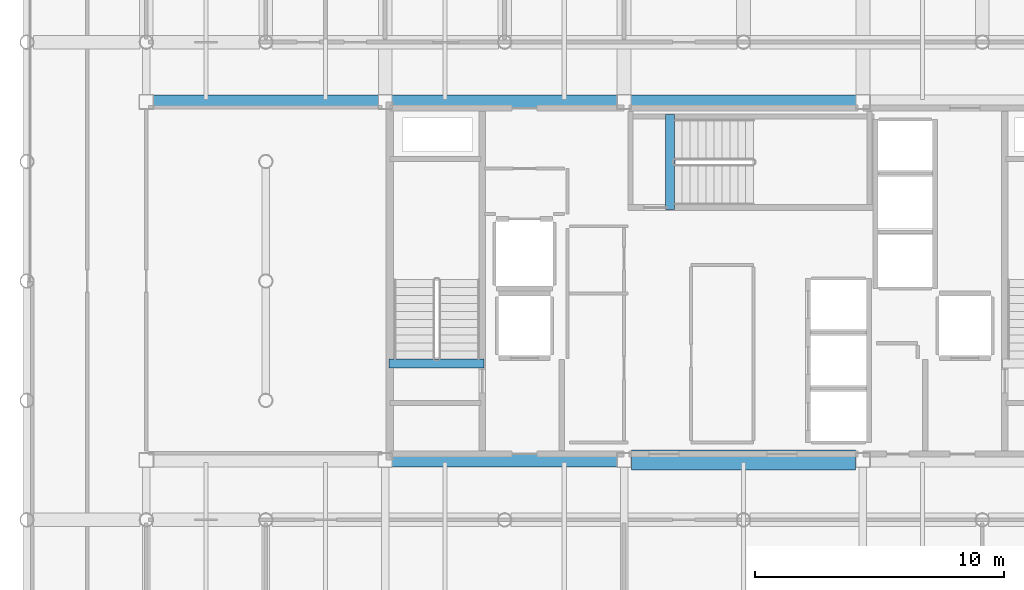
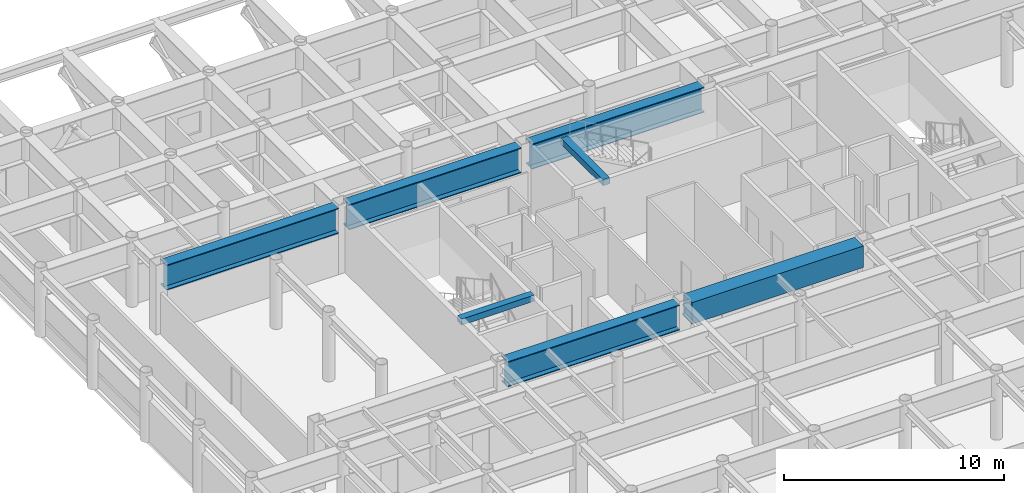
# One storey, part 8 of 24: 7 beams.
"""IFC4 building model written with IfcOpenShell, lengths in metres."""

from ifc_helpers import new_model, si_unit, direction, frame, origin, origin_2d, place, context, subcontext, project, spatial, rectangle, i_section, extrude, material, material_profile, profile_set, type_object, element, save


model = new_model("IFC4")

# Units and contexts
model_context = context("Model", 3, precision=1e-05, world=origin(), true_north=direction((0.0, 1.0)))
body_context = subcontext(model_context, "Body", "Model", "MODEL_VIEW")
ifc_project = project(units=[si_unit("LENGTHUNIT", "METRE"), si_unit("AREAUNIT", "SQUARE_METRE"), si_unit("VOLUMEUNIT", "CUBIC_METRE"), si_unit("PLANEANGLEUNIT", "RADIAN"), si_unit("MASSUNIT", "GRAM", prefix="KILO")], contexts=[model_context])

# Site, building, storey
site_placement = place(None, origin())
site = spatial("IfcSite", under=ifc_project, at=site_placement, CompositionType="ELEMENT")
building_placement = place(site_placement, origin())
building = spatial("IfcBuilding", under=site, at=building_placement, Name="Kallvorn Hotel Tower", CompositionType="ELEMENT")
storey_placement = place(building_placement, frame((0.0, 0.0, 218.449951171875)))
storey = spatial("IfcBuildingStorey", under=building, at=storey_placement, Name="L54", CompositionType="ELEMENT", Elevation=218.449951171875)

# Beams
ifc_material_1 = material(Name="Structural steel S355JR", Category="steel")
ifc_material_profile_1 = material_profile(ifc_material_1, i_section(OverallWidth=0.550048828125, OverallDepth=1.39990234375, WebThickness=0.02490234375, FlangeThickness=0.044921875, at=origin_2d()), Name="PG 1400x550x25x45")
ifc_profile_set_1 = profile_set([ifc_material_profile_1], Name="Structural steel S355JR")
beam_type_1 = type_object("IfcBeamType", Name="BM_PG_1400", PredefinedType="BEAM", material=ifc_profile_set_1)
for number, where, z_axis, x_axis, name in (
    (1, (-14.125, -7.199951171875, 2.969970703125), (1.0, 0.0, 0.0), (0.0, 1.0, 0.0), "L55 Primary X-Girder 47"),
    (2, (-23.72509765625, 7.199951171875, 2.969970703125), (1.0, 0.0, 0.0), (0.0, 1.0, 0.0), "L55 Primary X-Girder 50"),
    (3, (-14.125, 7.199951171875, 2.969970703125), (1.0, 0.0, 0.0), (0.0, 1.0, 0.0), "L55 Primary X-Girder 51"),
):
    element("IfcBeam", number, at=place(storey_placement, frame(where, z_axis=z_axis, x_axis=x_axis)), inside=storey, type_object=beam_type_1, Name=name, PredefinedType="BEAM", context=body_context, shape_type="SweptSolid", body=[
        extrude(i_section(OverallWidth=0.550048828125, OverallDepth=1.39990234375, WebThickness=0.02490234375, FlangeThickness=0.044921875, at=origin_2d()), origin(), (0.0, 0.0, 1.0), 9.050048828125),
    ])
beam_1_placement = place(storey_placement, frame((-4.52490234375, 7.199951171875, 2.969970703125), z_axis=(1.0, 0.0, 0.0), x_axis=(0.0, 1.0, 0.0)))
element("IfcBeam", 4, at=beam_1_placement, inside=storey, type_object=beam_type_1, Name="L55 Primary X-Girder 52", PredefinedType="BEAM", context=body_context, shape_type="SweptSolid", body=[
    extrude(i_section(OverallWidth=0.550048828125, OverallDepth=1.39990234375, WebThickness=0.02490234375, FlangeThickness=0.044921875, at=origin_2d()), origin(), (0.0, 0.0, 1.0), 9.0498046875),
])
ifc_material_2 = material(Name="Concrete C50/60", Category="concrete")
ifc_material_profile_2 = material_profile(ifc_material_2, rectangle(XDim=0.360107421875, YDim=0.340087890625, at=origin_2d()), Name="RC 360x340")
ifc_profile_set_2 = profile_set([ifc_material_profile_2], Name="Concrete C50/60")
beam_type_2 = type_object("IfcBeamType", Name="BM_RC_400x360", PredefinedType="BEAM", material=ifc_profile_set_2)
beam_2_placement = place(storey_placement, frame((-10.419921875, -3.31005859375, 3.5), z_axis=(-1.0, 0.0, 0.0), x_axis=(0.0, -1.0, 0.0)))
element("IfcBeam", 5, at=beam_2_placement, inside=storey, type_object=beam_type_2, Name="L55 Stair ST1 Arrival Trimmer Beam", PredefinedType="BEAM", context=body_context, shape_type="SweptSolid", body=[
    extrude(rectangle(XDim=0.360107421875, YDim=0.340087890625, at=origin_2d()), origin(), (0.0, 0.0, 1.0), 3.820068359375),
])
beam_3_placement = place(storey_placement, frame((-2.9599609375, 2.8701171875, 3.5), z_axis=(0.0, 1.0, 0.0), x_axis=(-1.0, 0.0, 0.0)))
element("IfcBeam", 6, at=beam_3_placement, inside=storey, type_object=beam_type_2, Name="L55 Stair ST3 Arrival Trimmer Beam", PredefinedType="BEAM", context=body_context, shape_type="SweptSolid", body=[
    extrude(rectangle(XDim=0.360107421875, YDim=0.340087890625, at=origin_2d()), origin(), (0.0, 0.0, 1.0), 3.81982421875),
])
ifc_material_3 = material(Name="Concrete C50/60", Category="concrete")
ifc_material_profile_3 = material_profile(ifc_material_3, rectangle(XDim=0.800048828125, YDim=1.199951171875, at=origin_2d()), Name="RC 800x1200")
ifc_profile_set_3 = profile_set([ifc_material_profile_3], Name="Concrete C50/60")
beam_type_3 = type_object("IfcBeamType", Name="BM_RC_800x1200", PredefinedType="T_BEAM", material=ifc_profile_set_3)
beam_4_placement = place(storey_placement, frame((-4.5, -7.199951171875, 3.070068359375), z_axis=(1.0, 0.0, 0.0), x_axis=(0.0, 1.0, 0.0)))
element("IfcBeam", 7, at=beam_4_placement, inside=storey, type_object=beam_type_3, Name="L54 Core Coupling Beam South", PredefinedType="T_BEAM", context=body_context, shape_type="SweptSolid", body=[
    extrude(rectangle(XDim=0.800048828125, YDim=1.199951171875, at=origin_2d()), origin(), (0.0, 0.0, 1.0), 9.0),
])

save(model, "model.ifc")
